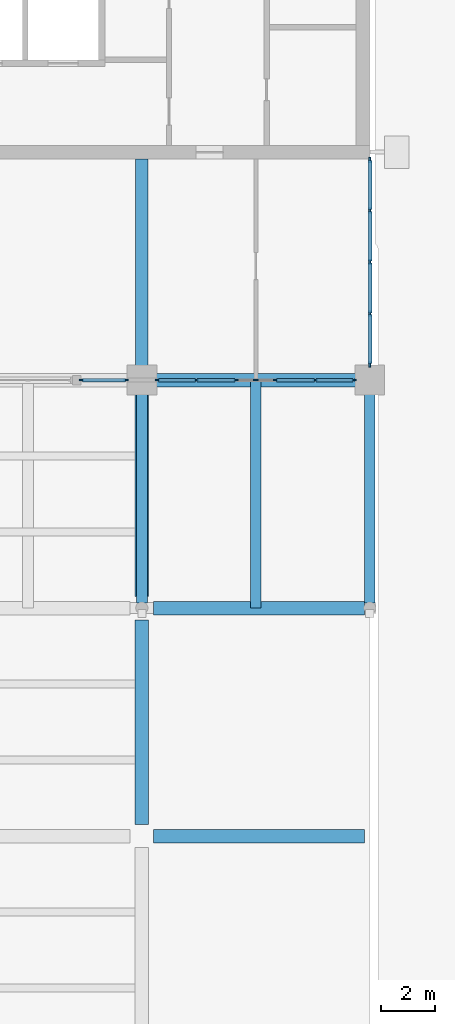
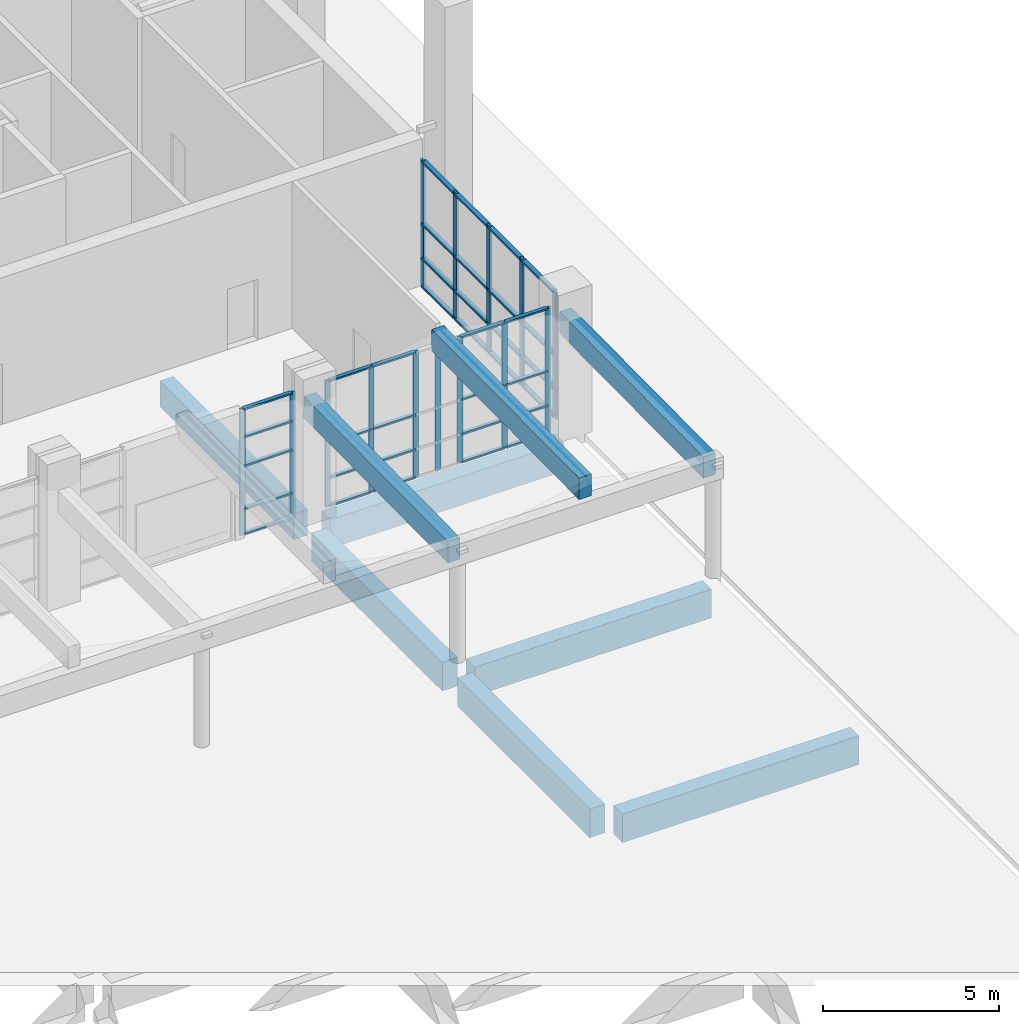
# One storey, part 9 of 74: 51 members, 9 beams, 3 elements without a shape of their own.
"""IFC4 building model written with IfcOpenShell, lengths in metres."""

from ifc_helpers import new_model, si_unit, direction, frame, origin, origin_2d, place, context, subcontext, project, spatial, rectangle, extrude, material, layer, layer_set, material_profile, profile_set, type_object, element, aggregate, save


model = new_model("IFC4")

# Units and contexts
model_context = context("Model", 3, precision=1e-05, world=origin(), true_north=direction((0.0, 1.0)))
body_context = subcontext(model_context, "Body", "Model", "MODEL_VIEW")
ifc_project = project(units=[si_unit("LENGTHUNIT", "METRE"), si_unit("AREAUNIT", "SQUARE_METRE"), si_unit("VOLUMEUNIT", "CUBIC_METRE"), si_unit("PLANEANGLEUNIT", "RADIAN"), si_unit("MASSUNIT", "GRAM", prefix="KILO")], contexts=[model_context])

# Site, building, storey
site_placement = place(None, origin())
site = spatial("IfcSite", under=ifc_project, at=site_placement, CompositionType="ELEMENT")
building_placement = place(site_placement, origin())
building = spatial("IfcBuilding", under=site, at=building_placement, Name="Rulbaag Community and Learning Centre", CompositionType="ELEMENT")
storey_placement = place(building_placement, origin())
storey = spatial("IfcBuildingStorey", under=building, at=storey_placement, Name="L00", CompositionType="ELEMENT", Elevation=0.0)

# Beams
ifc_material_1 = material(Name="Concrete M40", Category="concrete")
ifc_material_profile_1 = material_profile(ifc_material_1, rectangle(XDim=0.449951171875, YDim=0.89990234375, at=origin_2d()), Name="RB450x900")
ifc_profile_set_1 = profile_set([ifc_material_profile_1], Name="Concrete M40")
beam_type_1 = type_object("IfcBeamType", Name="B10 Ground floor beam 450x900 Concrete M40", PredefinedType="BEAM", material=ifc_profile_set_1)
beam_1_placement = place(storey_placement, frame((159.60009765625, 84.530029296875, -0.75), z_axis=(0.0, 1.0, 0.0), x_axis=(-1.0, 0.0, 0.0)))
element("IfcBeam", 1, at=beam_1_placement, inside=storey, type_object=beam_type_1, Name="BM-L00-20K-20L", PredefinedType="BEAM", context=body_context, shape_type="SweptSolid", body=[
    extrude(rectangle(XDim=0.449951171875, YDim=0.89990234375, at=origin_2d()), origin(), (0.0, 0.0, 1.0), 7.619873046875),
])
ifc_material_profile_2 = material_profile(ifc_material_1, rectangle(XDim=0.5, YDim=1.0, at=origin_2d()), Name="RB500x1000")
ifc_profile_set_2 = profile_set([ifc_material_profile_2], Name="Concrete M40")
beam_type_2 = type_object("IfcBeamType", Name="B12 Plaza deck beam 500x1000 Concrete M40", PredefinedType="BEAM", material=ifc_profile_set_2)
beam_2_placement = place(storey_placement, frame((160.030029296875, 67.199951171875, -0.800048828125), z_axis=(1.0, 0.0, 0.0), x_axis=(0.0, 1.0, 0.0)))
element("IfcBeam", 2, at=beam_2_placement, inside=storey, type_object=beam_type_2, Name="BM-L00-20I-21I", PredefinedType="BEAM", context=body_context, shape_type="SweptSolid", body=[
    extrude(rectangle(XDim=0.5, YDim=1.0, at=origin_2d()), origin(), (0.0, 0.0, 1.0), 7.77001953125),
])
beam_3_placement = place(storey_placement, frame((159.60009765625, 67.6298828125, -0.800048828125), z_axis=(0.0, 1.0, 0.0), x_axis=(-1.0, 0.0, 0.0)))
element("IfcBeam", 3, at=beam_3_placement, inside=storey, type_object=beam_type_2, Name="BM-L00-20I-20J", PredefinedType="BEAM", context=body_context, shape_type="SweptSolid", body=[
    extrude(rectangle(XDim=0.5, YDim=1.0, at=origin_2d()), origin(), (0.0, 0.0, 1.0), 7.5400390625),
])
beam_4_placement = place(storey_placement, frame((160.030029296875, 75.60009765625, -0.800048828125), z_axis=(1.0, 0.0, 0.0), x_axis=(0.0, 1.0, 0.0)))
element("IfcBeam", 4, at=beam_4_placement, inside=storey, type_object=beam_type_2, Name="BM-L00-20J-21J", PredefinedType="BEAM", context=body_context, shape_type="SweptSolid", body=[
    extrude(rectangle(XDim=0.5, YDim=1.0, at=origin_2d()), origin(), (0.0, 0.0, 1.0), 7.77001953125),
])
beam_5_placement = place(storey_placement, frame((159.60009765625, 76.030029296875, -0.800048828125), z_axis=(0.0, 1.0, 0.0), x_axis=(-1.0, 0.0, 0.0)))
element("IfcBeam", 5, at=beam_5_placement, inside=storey, type_object=beam_type_2, Name="BM-L00-20J-20K", PredefinedType="BEAM", context=body_context, shape_type="SweptSolid", body=[
    extrude(rectangle(XDim=0.5, YDim=1.0, at=origin_2d()), origin(), (0.0, 0.0, 1.0), 7.43994140625),
])
beam_6_placement = place(storey_placement, frame((160.1298828125, 84.0, -0.800048828125), z_axis=(1.0, 0.0, 0.0), x_axis=(0.0, 1.0, 0.0)))
element("IfcBeam", 6, at=beam_6_placement, inside=storey, type_object=beam_type_2, Name="BM-L00-20K-21K", PredefinedType="BEAM", context=body_context, shape_type="SweptSolid", body=[
    extrude(rectangle(XDim=0.5, YDim=1.0, at=origin_2d()), origin(), (0.0, 0.0, 1.0), 7.670166015625),
])
ifc_material_profile_3 = material_profile(ifc_material_1, rectangle(XDim=0.39990234375, YDim=0.75, at=origin_2d()), Name="RB400x750")
ifc_profile_set_3 = profile_set([ifc_material_profile_3], Name="Concrete M40")
beam_type_3 = type_object("IfcBeamType", Name="BP1 Porch valley beam 400x750 Concrete M40", PredefinedType="BEAM", material=ifc_profile_set_3)
for number, where, z_axis, x_axis, name in (
    (7, (159.60009765625, 84.0, 3.72314453125), (0.0, -0.999954332431, -0.009556832724), (1.0, 0.0, 0.0), "BM-PORCH-T3"),
    (8, (168.0, 84.0, 3.72314453125), (0.0, -0.999954332431, -0.009556832724), (1.0, 0.0, 0.0), "BM-PORCH-T4"),
):
    element("IfcBeam", number, at=place(storey_placement, frame(where, z_axis=z_axis, x_axis=x_axis)), inside=storey, type_object=beam_type_3, Name=name, PredefinedType="BEAM", context=body_context, shape_type="SweptSolid", body=[
        extrude(rectangle(XDim=0.39990234375, YDim=0.75, at=origin_2d()), origin(), (0.0, 0.0, 1.0), 8.200439453125),
    ])
beam_7_placement = place(storey_placement, frame((163.800048828125, 84.0, 4.580322265625), z_axis=(0.0, -0.999954284482, -0.009561848503), x_axis=(1.0, 0.0, 0.0)))
element("IfcBeam", 9, at=beam_7_placement, inside=storey, type_object=beam_type_3, Name="BM-PORCH-TR3", PredefinedType="BEAM", context=body_context, shape_type="SweptSolid", body=[
    extrude(rectangle(XDim=0.39990234375, YDim=0.75, at=origin_2d()), origin(), (0.0, 0.0, 1.0), 8.400390625),
])

# Curtain wall, members
ifc_material_2 = material(Name="Aluminium", Category="aluminium")
ifc_layer_1 = layer(ifc_material_2, 0.14990234375)
ifc_layer_set_1 = layer_set([ifc_layer_1], Name="CW-S")
curtain_wall_type_1 = type_object("IfcCurtainWallType", Name="CW-S", PredefinedType="USERDEFINED", material=ifc_layer_set_1)
curtain_wall_1_placement = place(storey_placement, origin())
curtain_wall_1 = element("IfcCurtainWall", 10, at=curtain_wall_1_placement, inside=storey, type_object=curtain_wall_type_1, Name="GS-L00-04", ObjectType="UNITISED CURTAIN WALL", PredefinedType="USERDEFINED")
ifc_material_3 = material(Name="Aluminium mullion", Category="aluminium")
ifc_material_profile_4 = material_profile(ifc_material_3, rectangle(XDim=0.06005859375, YDim=0.175048828125, at=origin_2d()), Name="AL 60x175")
ifc_profile_set_4 = profile_set([ifc_material_profile_4], Name="Aluminium mullion")
member_type_1 = type_object("IfcMemberType", Name="CW-S-MUL", PredefinedType="MULLION", material=ifc_profile_set_4)
member_1_placement = place(storey_placement, frame((157.3798828125, 84.0, 0.0), z_axis=(0.0, 0.0, 1.0), x_axis=(0.0, 1.0, 0.0)))
member_1 = element("IfcMember", 11, at=member_1_placement, type_object=member_type_1, Name="GS mullion 1", PredefinedType="MULLION", context=body_context, shape_type="SweptSolid", body=[
    extrude(rectangle(XDim=0.06005859375, YDim=0.175048828125, at=origin_2d()), origin(), (0.0, 0.0, 1.0), 4.39990234375),
])
member_2_placement = place(storey_placement, frame((159.02001953125, 84.0, 0.0), z_axis=(0.0, 0.0, 1.0), x_axis=(0.0, 1.0, 0.0)))
member_2 = element("IfcMember", 12, at=member_2_placement, type_object=member_type_1, Name="GS mullion 2", PredefinedType="MULLION", context=body_context, shape_type="SweptSolid", body=[
    extrude(rectangle(XDim=0.06005859375, YDim=0.175048828125, at=origin_2d()), origin(), (0.0, 0.0, 1.0), 4.39990234375),
])

curtain_wall_2_placement = place(storey_placement, origin())
curtain_wall_2 = element("IfcCurtainWall", 13, at=curtain_wall_2_placement, inside=storey, type_object=curtain_wall_type_1, Name="GS-L00-05", ObjectType="UNITISED CURTAIN WALL", PredefinedType="USERDEFINED")
member_3_placement = place(storey_placement, frame((160.179931640625, 84.0, 0.0), z_axis=(0.0, 0.0, 1.0), x_axis=(0.0, 1.0, 0.0)))
member_3 = element("IfcMember", 14, at=member_3_placement, type_object=member_type_1, Name="GS mullion 1", PredefinedType="MULLION", context=body_context, shape_type="SweptSolid", body=[
    extrude(rectangle(XDim=0.06005859375, YDim=0.175048828125, at=origin_2d()), origin(), (0.0, 0.0, 1.0), 4.39990234375),
])
member_4_placement = place(storey_placement, frame((161.610107421875, 84.0, 0.0), z_axis=(0.0, 0.0, 1.0), x_axis=(0.0, 1.0, 0.0)))
member_4 = element("IfcMember", 15, at=member_4_placement, type_object=member_type_1, Name="GS mullion 2", PredefinedType="MULLION", context=body_context, shape_type="SweptSolid", body=[
    extrude(rectangle(XDim=0.06005859375, YDim=0.175048828125, at=origin_2d()), origin(), (0.0, 0.0, 1.0), 4.39990234375),
])
member_5_placement = place(storey_placement, frame((163.070068359375, 84.0, 0.0), z_axis=(0.0, 0.0, 1.0), x_axis=(0.0, 1.0, 0.0)))
member_5 = element("IfcMember", 16, at=member_5_placement, type_object=member_type_1, Name="GS mullion 3", PredefinedType="MULLION", context=body_context, shape_type="SweptSolid", body=[
    extrude(rectangle(XDim=0.06005859375, YDim=0.175048828125, at=origin_2d()), origin(), (0.0, 0.0, 1.0), 4.39990234375),
])
member_6_placement = place(storey_placement, frame((163.800048828125, 84.0, 0.0), z_axis=(0.0, 0.0, 1.0), x_axis=(0.0, 1.0, 0.0)))
member_6 = element("IfcMember", 17, at=member_6_placement, type_object=member_type_1, Name="GS mullion 4", PredefinedType="MULLION", context=body_context, shape_type="SweptSolid", body=[
    extrude(rectangle(XDim=0.06005859375, YDim=0.175048828125, at=origin_2d()), origin(), (0.0, 0.0, 1.0), 4.39990234375),
])
member_7_placement = place(storey_placement, frame((164.530029296875, 84.0, 0.0), z_axis=(0.0, 0.0, 1.0), x_axis=(0.0, 1.0, 0.0)))
member_7 = element("IfcMember", 18, at=member_7_placement, type_object=member_type_1, Name="GS mullion 5", PredefinedType="MULLION", context=body_context, shape_type="SweptSolid", body=[
    extrude(rectangle(XDim=0.06005859375, YDim=0.175048828125, at=origin_2d()), origin(), (0.0, 0.0, 1.0), 4.39990234375),
])
member_8_placement = place(storey_placement, frame((165.989990234375, 84.0, 0.0), z_axis=(0.0, 0.0, 1.0), x_axis=(0.0, 1.0, 0.0)))
member_8 = element("IfcMember", 19, at=member_8_placement, type_object=member_type_1, Name="GS mullion 6", PredefinedType="MULLION", context=body_context, shape_type="SweptSolid", body=[
    extrude(rectangle(XDim=0.06005859375, YDim=0.175048828125, at=origin_2d()), origin(), (0.0, 0.0, 1.0), 4.39990234375),
])
member_9_placement = place(storey_placement, frame((167.419921875, 84.0, 0.0), z_axis=(0.0, 0.0, 1.0), x_axis=(0.0, 1.0, 0.0)))
member_9 = element("IfcMember", 20, at=member_9_placement, type_object=member_type_1, Name="GS mullion 7", PredefinedType="MULLION", context=body_context, shape_type="SweptSolid", body=[
    extrude(rectangle(XDim=0.06005859375, YDim=0.175048828125, at=origin_2d()), origin(), (0.0, 0.0, 1.0), 4.39990234375),
])

# Member
ifc_material_4 = material(Name="Aluminium transom", Category="aluminium")
ifc_material_profile_5 = material_profile(ifc_material_4, rectangle(XDim=0.125, YDim=0.06005859375, at=origin_2d()), Name="AL 60x125 T")
ifc_profile_set_5 = profile_set([ifc_material_profile_5], Name="Aluminium transom")
member_type_2 = type_object("IfcMemberType", Name="CW-S-TRN", PredefinedType="USERDEFINED", material=ifc_profile_set_5)
member_10_placement = place(storey_placement, frame((157.409912109375, 84.0, 0.030029296875), z_axis=(1.0, 0.0, 0.0), x_axis=(0.0, 1.0, 0.0)))
member_10 = element("IfcMember", 21, at=member_10_placement, type_object=member_type_2, Name="GS transom 1.1", ObjectType="TRANSOM", PredefinedType="USERDEFINED", context=body_context, shape_type="SweptSolid", body=[
    extrude(rectangle(XDim=0.125, YDim=0.06005859375, at=origin_2d()), origin(), (0.0, 0.0, 1.0), 1.580078125),
])

member_11_placement = place(storey_placement, frame((157.409912109375, 84.0, 0.89990234375), z_axis=(1.0, 0.0, 0.0), x_axis=(0.0, 1.0, 0.0)))
member_11 = element("IfcMember", 22, at=member_11_placement, type_object=member_type_2, Name="GS transom 1.2", ObjectType="TRANSOM", PredefinedType="USERDEFINED", context=body_context, shape_type="SweptSolid", body=[
    extrude(rectangle(XDim=0.125, YDim=0.06005859375, at=origin_2d()), origin(), (0.0, 0.0, 1.0), 1.580078125),
])

member_12_placement = place(storey_placement, frame((157.409912109375, 84.0, 2.39990234375), z_axis=(1.0, 0.0, 0.0), x_axis=(0.0, 1.0, 0.0)))
member_12 = element("IfcMember", 23, at=member_12_placement, type_object=member_type_2, Name="GS transom 1.3", ObjectType="TRANSOM", PredefinedType="USERDEFINED", context=body_context, shape_type="SweptSolid", body=[
    extrude(rectangle(XDim=0.125, YDim=0.06005859375, at=origin_2d()), origin(), (0.0, 0.0, 1.0), 1.580078125),
])

member_13_placement = place(storey_placement, frame((157.409912109375, 84.0, 3.39990234375), z_axis=(1.0, 0.0, 0.0), x_axis=(0.0, 1.0, 0.0)))
member_13 = element("IfcMember", 24, at=member_13_placement, type_object=member_type_2, Name="GS transom 1.4", ObjectType="TRANSOM", PredefinedType="USERDEFINED", context=body_context, shape_type="SweptSolid", body=[
    extrude(rectangle(XDim=0.125, YDim=0.06005859375, at=origin_2d()), origin(), (0.0, 0.0, 1.0), 1.580078125),
])

member_14_placement = place(storey_placement, frame((157.409912109375, 84.0, 4.3701171875), z_axis=(1.0, 0.0, 0.0), x_axis=(0.0, 1.0, 0.0)))
member_14 = element("IfcMember", 25, at=member_14_placement, type_object=member_type_2, Name="GS transom 1.5", ObjectType="TRANSOM", PredefinedType="USERDEFINED", context=body_context, shape_type="SweptSolid", body=[
    extrude(rectangle(XDim=0.125, YDim=0.06005859375, at=origin_2d()), origin(), (0.0, 0.0, 1.0), 1.580078125),
])

aggregate(curtain_wall_1, [member_1, member_2, member_10, member_11, member_12, member_13, member_14])

member_15_placement = place(storey_placement, frame((160.2099609375, 84.0, 0.030029296875), z_axis=(1.0, 0.0, 0.0), x_axis=(0.0, 1.0, 0.0)))
member_15 = element("IfcMember", 26, at=member_15_placement, type_object=member_type_2, Name="GS transom 1.1", ObjectType="TRANSOM", PredefinedType="USERDEFINED", context=body_context, shape_type="SweptSolid", body=[
    extrude(rectangle(XDim=0.125, YDim=0.06005859375, at=origin_2d()), origin(), (0.0, 0.0, 1.0), 1.3701171875),
])

member_16_placement = place(storey_placement, frame((160.2099609375, 84.0, 1.0), z_axis=(1.0, 0.0, 0.0), x_axis=(0.0, 1.0, 0.0)))
member_16 = element("IfcMember", 27, at=member_16_placement, type_object=member_type_2, Name="GS transom 1.2", ObjectType="TRANSOM", PredefinedType="USERDEFINED", context=body_context, shape_type="SweptSolid", body=[
    extrude(rectangle(XDim=0.125, YDim=0.06005859375, at=origin_2d()), origin(), (0.0, 0.0, 1.0), 1.3701171875),
])

member_17_placement = place(storey_placement, frame((160.2099609375, 84.0, 2.199951171875), z_axis=(1.0, 0.0, 0.0), x_axis=(0.0, 1.0, 0.0)))
member_17 = element("IfcMember", 28, at=member_17_placement, type_object=member_type_2, Name="GS transom 1.3", ObjectType="TRANSOM", PredefinedType="USERDEFINED", context=body_context, shape_type="SweptSolid", body=[
    extrude(rectangle(XDim=0.125, YDim=0.06005859375, at=origin_2d()), origin(), (0.0, 0.0, 1.0), 1.3701171875),
])

member_18_placement = place(storey_placement, frame((160.2099609375, 84.0, 4.3701171875), z_axis=(1.0, 0.0, 0.0), x_axis=(0.0, 1.0, 0.0)))
member_18 = element("IfcMember", 29, at=member_18_placement, type_object=member_type_2, Name="GS transom 1.4", ObjectType="TRANSOM", PredefinedType="USERDEFINED", context=body_context, shape_type="SweptSolid", body=[
    extrude(rectangle(XDim=0.125, YDim=0.06005859375, at=origin_2d()), origin(), (0.0, 0.0, 1.0), 1.3701171875),
])

member_19_placement = place(storey_placement, frame((161.639892578125, 84.0, 0.030029296875), z_axis=(1.0, 0.0, 0.0), x_axis=(0.0, 1.0, 0.0)))
member_19 = element("IfcMember", 30, at=member_19_placement, type_object=member_type_2, Name="GS transom 2.1", ObjectType="TRANSOM", PredefinedType="USERDEFINED", context=body_context, shape_type="SweptSolid", body=[
    extrude(rectangle(XDim=0.125, YDim=0.06005859375, at=origin_2d()), origin(), (0.0, 0.0, 1.0), 1.400146484375),
])

member_20_placement = place(storey_placement, frame((161.639892578125, 84.0, 1.0), z_axis=(1.0, 0.0, 0.0), x_axis=(0.0, 1.0, 0.0)))
member_20 = element("IfcMember", 31, at=member_20_placement, type_object=member_type_2, Name="GS transom 2.2", ObjectType="TRANSOM", PredefinedType="USERDEFINED", context=body_context, shape_type="SweptSolid", body=[
    extrude(rectangle(XDim=0.125, YDim=0.06005859375, at=origin_2d()), origin(), (0.0, 0.0, 1.0), 1.400146484375),
])

member_21_placement = place(storey_placement, frame((161.639892578125, 84.0, 2.199951171875), z_axis=(1.0, 0.0, 0.0), x_axis=(0.0, 1.0, 0.0)))
member_21 = element("IfcMember", 32, at=member_21_placement, type_object=member_type_2, Name="GS transom 2.3", ObjectType="TRANSOM", PredefinedType="USERDEFINED", context=body_context, shape_type="SweptSolid", body=[
    extrude(rectangle(XDim=0.125, YDim=0.06005859375, at=origin_2d()), origin(), (0.0, 0.0, 1.0), 1.400146484375),
])

member_22_placement = place(storey_placement, frame((161.639892578125, 84.0, 4.3701171875), z_axis=(1.0, 0.0, 0.0), x_axis=(0.0, 1.0, 0.0)))
member_22 = element("IfcMember", 33, at=member_22_placement, type_object=member_type_2, Name="GS transom 2.4", ObjectType="TRANSOM", PredefinedType="USERDEFINED", context=body_context, shape_type="SweptSolid", body=[
    extrude(rectangle(XDim=0.125, YDim=0.06005859375, at=origin_2d()), origin(), (0.0, 0.0, 1.0), 1.400146484375),
])

member_23_placement = place(storey_placement, frame((164.56005859375, 84.0, 0.030029296875), z_axis=(1.0, 0.0, 0.0), x_axis=(0.0, 1.0, 0.0)))
member_23 = element("IfcMember", 34, at=member_23_placement, type_object=member_type_2, Name="GS transom 5.1", ObjectType="TRANSOM", PredefinedType="USERDEFINED", context=body_context, shape_type="SweptSolid", body=[
    extrude(rectangle(XDim=0.125, YDim=0.06005859375, at=origin_2d()), origin(), (0.0, 0.0, 1.0), 1.39990234375),
])

member_24_placement = place(storey_placement, frame((164.56005859375, 84.0, 1.0), z_axis=(1.0, 0.0, 0.0), x_axis=(0.0, 1.0, 0.0)))
member_24 = element("IfcMember", 35, at=member_24_placement, type_object=member_type_2, Name="GS transom 5.2", ObjectType="TRANSOM", PredefinedType="USERDEFINED", context=body_context, shape_type="SweptSolid", body=[
    extrude(rectangle(XDim=0.125, YDim=0.06005859375, at=origin_2d()), origin(), (0.0, 0.0, 1.0), 1.39990234375),
])

member_25_placement = place(storey_placement, frame((164.56005859375, 84.0, 2.199951171875), z_axis=(1.0, 0.0, 0.0), x_axis=(0.0, 1.0, 0.0)))
member_25 = element("IfcMember", 36, at=member_25_placement, type_object=member_type_2, Name="GS transom 5.3", ObjectType="TRANSOM", PredefinedType="USERDEFINED", context=body_context, shape_type="SweptSolid", body=[
    extrude(rectangle(XDim=0.125, YDim=0.06005859375, at=origin_2d()), origin(), (0.0, 0.0, 1.0), 1.39990234375),
])

member_26_placement = place(storey_placement, frame((164.56005859375, 84.0, 4.3701171875), z_axis=(1.0, 0.0, 0.0), x_axis=(0.0, 1.0, 0.0)))
member_26 = element("IfcMember", 37, at=member_26_placement, type_object=member_type_2, Name="GS transom 5.4", ObjectType="TRANSOM", PredefinedType="USERDEFINED", context=body_context, shape_type="SweptSolid", body=[
    extrude(rectangle(XDim=0.125, YDim=0.06005859375, at=origin_2d()), origin(), (0.0, 0.0, 1.0), 1.39990234375),
])

member_27_placement = place(storey_placement, frame((166.02001953125, 84.0, 0.030029296875), z_axis=(1.0, 0.0, 0.0), x_axis=(0.0, 1.0, 0.0)))
member_27 = element("IfcMember", 38, at=member_27_placement, type_object=member_type_2, Name="GS transom 6.1", ObjectType="TRANSOM", PredefinedType="USERDEFINED", context=body_context, shape_type="SweptSolid", body=[
    extrude(rectangle(XDim=0.125, YDim=0.06005859375, at=origin_2d()), origin(), (0.0, 0.0, 1.0), 1.369873046875),
])

member_28_placement = place(storey_placement, frame((166.02001953125, 84.0, 1.0), z_axis=(1.0, 0.0, 0.0), x_axis=(0.0, 1.0, 0.0)))
member_28 = element("IfcMember", 39, at=member_28_placement, type_object=member_type_2, Name="GS transom 6.2", ObjectType="TRANSOM", PredefinedType="USERDEFINED", context=body_context, shape_type="SweptSolid", body=[
    extrude(rectangle(XDim=0.125, YDim=0.06005859375, at=origin_2d()), origin(), (0.0, 0.0, 1.0), 1.369873046875),
])

member_29_placement = place(storey_placement, frame((166.02001953125, 84.0, 2.199951171875), z_axis=(1.0, 0.0, 0.0), x_axis=(0.0, 1.0, 0.0)))
member_29 = element("IfcMember", 40, at=member_29_placement, type_object=member_type_2, Name="GS transom 6.3", ObjectType="TRANSOM", PredefinedType="USERDEFINED", context=body_context, shape_type="SweptSolid", body=[
    extrude(rectangle(XDim=0.125, YDim=0.06005859375, at=origin_2d()), origin(), (0.0, 0.0, 1.0), 1.369873046875),
])

member_30_placement = place(storey_placement, frame((166.02001953125, 84.0, 4.3701171875), z_axis=(1.0, 0.0, 0.0), x_axis=(0.0, 1.0, 0.0)))
member_30 = element("IfcMember", 41, at=member_30_placement, type_object=member_type_2, Name="GS transom 6.4", ObjectType="TRANSOM", PredefinedType="USERDEFINED", context=body_context, shape_type="SweptSolid", body=[
    extrude(rectangle(XDim=0.125, YDim=0.06005859375, at=origin_2d()), origin(), (0.0, 0.0, 1.0), 1.369873046875),
])

aggregate(curtain_wall_2, [member_3, member_4, member_5, member_6, member_7, member_8, member_9, member_15, member_16, member_17, member_18, member_19, member_20, member_21, member_22, member_23, member_24, member_25, member_26, member_27, member_28, member_29, member_30])

# Curtain wall, members
ifc_layer_2 = layer(ifc_material_2, 0.14990234375)
ifc_layer_set_2 = layer_set([ifc_layer_2], Name="CW-T")
curtain_wall_type_2 = type_object("IfcCurtainWallType", Name="CW-T", PredefinedType="USERDEFINED", material=ifc_layer_set_2)
curtain_wall_3_placement = place(storey_placement, origin())
curtain_wall_3 = element("IfcCurtainWall", 42, at=curtain_wall_3_placement, inside=storey, type_object=curtain_wall_type_2, Name="GT-L00-03", ObjectType="UNITISED CURTAIN WALL", PredefinedType="USERDEFINED")
ifc_material_profile_6 = material_profile(ifc_material_3, rectangle(XDim=0.06494140625, YDim=0.199951171875, at=origin_2d()), Name="AL 65x200")
ifc_profile_set_6 = profile_set([ifc_material_profile_6], Name="Aluminium mullion")
member_type_3 = type_object("IfcMemberType", Name="CW-T-MUL", PredefinedType="MULLION", material=ifc_profile_set_6)
member_31_placement = place(storey_placement, frame((168.0, 84.58251953125, 0.0), z_axis=(0.0, 0.0, 1.0), x_axis=(-1.0, 0.0, 0.0)))
member_31 = element("IfcMember", 43, at=member_31_placement, type_object=member_type_3, Name="GT mullion 1", PredefinedType="MULLION", context=body_context, shape_type="SweptSolid", body=[
    extrude(rectangle(XDim=0.06494140625, YDim=0.199951171875, at=origin_2d()), origin(), (0.0, 0.0, 1.0), 4.39990234375),
])
member_32_placement = place(storey_placement, frame((168.0, 86.449951171875, 0.0), z_axis=(0.0, 0.0, 1.0), x_axis=(-1.0, 0.0, 0.0)))
member_32 = element("IfcMember", 44, at=member_32_placement, type_object=member_type_3, Name="GT mullion 2", PredefinedType="MULLION", context=body_context, shape_type="SweptSolid", body=[
    extrude(rectangle(XDim=0.06494140625, YDim=0.199951171875, at=origin_2d()), origin(), (0.0, 0.0, 1.0), 4.39990234375),
])
member_33_placement = place(storey_placement, frame((168.0, 88.35009765625, 0.0), z_axis=(0.0, 0.0, 1.0), x_axis=(-1.0, 0.0, 0.0)))
member_33 = element("IfcMember", 45, at=member_33_placement, type_object=member_type_3, Name="GT mullion 3", PredefinedType="MULLION", context=body_context, shape_type="SweptSolid", body=[
    extrude(rectangle(XDim=0.06494140625, YDim=0.199951171875, at=origin_2d()), origin(), (0.0, 0.0, 1.0), 4.39990234375),
])
member_34_placement = place(storey_placement, frame((168.0, 90.25, 0.0), z_axis=(0.0, 0.0, 1.0), x_axis=(-1.0, 0.0, 0.0)))
member_34 = element("IfcMember", 46, at=member_34_placement, type_object=member_type_3, Name="GT mullion 4", PredefinedType="MULLION", context=body_context, shape_type="SweptSolid", body=[
    extrude(rectangle(XDim=0.06494140625, YDim=0.199951171875, at=origin_2d()), origin(), (0.0, 0.0, 1.0), 4.39990234375),
])
member_35_placement = place(storey_placement, frame((168.0, 92.117431640625, 0.0), z_axis=(0.0, 0.0, 1.0), x_axis=(-1.0, 0.0, 0.0)))
member_35 = element("IfcMember", 47, at=member_35_placement, type_object=member_type_3, Name="GT mullion 5", PredefinedType="MULLION", context=body_context, shape_type="SweptSolid", body=[
    extrude(rectangle(XDim=0.06494140625, YDim=0.199951171875, at=origin_2d()), origin(), (0.0, 0.0, 1.0), 4.39990234375),
])
ifc_material_profile_7 = material_profile(ifc_material_4, rectangle(XDim=0.14990234375, YDim=0.06494140625, at=origin_2d()), Name="AL 65x150 T")
ifc_profile_set_7 = profile_set([ifc_material_profile_7], Name="Aluminium transom")
member_type_4 = type_object("IfcMemberType", Name="CW-T-TRN", PredefinedType="USERDEFINED", material=ifc_profile_set_7)
member_36_placement = place(storey_placement, frame((168.0, 84.614990234375, 0.032470703125), z_axis=(0.0, 1.0, 0.0), x_axis=(-1.0, 0.0, 0.0)))
member_36 = element("IfcMember", 48, at=member_36_placement, type_object=member_type_4, Name="GT transom 1.1", ObjectType="TRANSOM", PredefinedType="USERDEFINED", context=body_context, shape_type="SweptSolid", body=[
    extrude(rectangle(XDim=0.14990234375, YDim=0.06494140625, at=origin_2d()), origin(), (0.0, 0.0, 1.0), 1.802490234375),
])
member_37_placement = place(storey_placement, frame((168.0, 84.614990234375, 1.0), z_axis=(0.0, 1.0, 0.0), x_axis=(-1.0, 0.0, 0.0)))
member_37 = element("IfcMember", 49, at=member_37_placement, type_object=member_type_4, Name="GT transom 1.2", ObjectType="TRANSOM", PredefinedType="USERDEFINED", context=body_context, shape_type="SweptSolid", body=[
    extrude(rectangle(XDim=0.14990234375, YDim=0.06494140625, at=origin_2d()), origin(), (0.0, 0.0, 1.0), 1.802490234375),
])
member_38_placement = place(storey_placement, frame((168.0, 84.614990234375, 2.199951171875), z_axis=(0.0, 1.0, 0.0), x_axis=(-1.0, 0.0, 0.0)))
member_38 = element("IfcMember", 50, at=member_38_placement, type_object=member_type_4, Name="GT transom 1.3", ObjectType="TRANSOM", PredefinedType="USERDEFINED", context=body_context, shape_type="SweptSolid", body=[
    extrude(rectangle(XDim=0.14990234375, YDim=0.06494140625, at=origin_2d()), origin(), (0.0, 0.0, 1.0), 1.802490234375),
])
member_39_placement = place(storey_placement, frame((168.0, 84.614990234375, 4.367431640625), z_axis=(0.0, 1.0, 0.0), x_axis=(-1.0, 0.0, 0.0)))
member_39 = element("IfcMember", 51, at=member_39_placement, type_object=member_type_4, Name="GT transom 1.4", ObjectType="TRANSOM", PredefinedType="USERDEFINED", context=body_context, shape_type="SweptSolid", body=[
    extrude(rectangle(XDim=0.14990234375, YDim=0.06494140625, at=origin_2d()), origin(), (0.0, 0.0, 1.0), 1.802490234375),
])
member_40_placement = place(storey_placement, frame((168.0, 86.482421875, 0.032470703125), z_axis=(0.0, 1.0, 0.0), x_axis=(-1.0, 0.0, 0.0)))
member_40 = element("IfcMember", 52, at=member_40_placement, type_object=member_type_4, Name="GT transom 2.1", ObjectType="TRANSOM", PredefinedType="USERDEFINED", context=body_context, shape_type="SweptSolid", body=[
    extrude(rectangle(XDim=0.14990234375, YDim=0.06494140625, at=origin_2d()), origin(), (0.0, 0.0, 1.0), 1.8349609375),
])
member_41_placement = place(storey_placement, frame((168.0, 86.482421875, 1.0), z_axis=(0.0, 1.0, 0.0), x_axis=(-1.0, 0.0, 0.0)))
member_41 = element("IfcMember", 53, at=member_41_placement, type_object=member_type_4, Name="GT transom 2.2", ObjectType="TRANSOM", PredefinedType="USERDEFINED", context=body_context, shape_type="SweptSolid", body=[
    extrude(rectangle(XDim=0.14990234375, YDim=0.06494140625, at=origin_2d()), origin(), (0.0, 0.0, 1.0), 1.8349609375),
])
member_42_placement = place(storey_placement, frame((168.0, 86.482421875, 2.199951171875), z_axis=(0.0, 1.0, 0.0), x_axis=(-1.0, 0.0, 0.0)))
member_42 = element("IfcMember", 54, at=member_42_placement, type_object=member_type_4, Name="GT transom 2.3", ObjectType="TRANSOM", PredefinedType="USERDEFINED", context=body_context, shape_type="SweptSolid", body=[
    extrude(rectangle(XDim=0.14990234375, YDim=0.06494140625, at=origin_2d()), origin(), (0.0, 0.0, 1.0), 1.8349609375),
])
member_43_placement = place(storey_placement, frame((168.0, 86.482421875, 4.367431640625), z_axis=(0.0, 1.0, 0.0), x_axis=(-1.0, 0.0, 0.0)))
member_43 = element("IfcMember", 55, at=member_43_placement, type_object=member_type_4, Name="GT transom 2.4", ObjectType="TRANSOM", PredefinedType="USERDEFINED", context=body_context, shape_type="SweptSolid", body=[
    extrude(rectangle(XDim=0.14990234375, YDim=0.06494140625, at=origin_2d()), origin(), (0.0, 0.0, 1.0), 1.8349609375),
])
member_44_placement = place(storey_placement, frame((168.0, 88.382568359375, 0.032470703125), z_axis=(0.0, 1.0, 0.0), x_axis=(-1.0, 0.0, 0.0)))
member_44 = element("IfcMember", 56, at=member_44_placement, type_object=member_type_4, Name="GT transom 3.1", ObjectType="TRANSOM", PredefinedType="USERDEFINED", context=body_context, shape_type="SweptSolid", body=[
    extrude(rectangle(XDim=0.14990234375, YDim=0.06494140625, at=origin_2d()), origin(), (0.0, 0.0, 1.0), 1.8349609375),
])
member_45_placement = place(storey_placement, frame((168.0, 88.382568359375, 1.0), z_axis=(0.0, 1.0, 0.0), x_axis=(-1.0, 0.0, 0.0)))
member_45 = element("IfcMember", 57, at=member_45_placement, type_object=member_type_4, Name="GT transom 3.2", ObjectType="TRANSOM", PredefinedType="USERDEFINED", context=body_context, shape_type="SweptSolid", body=[
    extrude(rectangle(XDim=0.14990234375, YDim=0.06494140625, at=origin_2d()), origin(), (0.0, 0.0, 1.0), 1.8349609375),
])
member_46_placement = place(storey_placement, frame((168.0, 88.382568359375, 2.199951171875), z_axis=(0.0, 1.0, 0.0), x_axis=(-1.0, 0.0, 0.0)))
member_46 = element("IfcMember", 58, at=member_46_placement, type_object=member_type_4, Name="GT transom 3.3", ObjectType="TRANSOM", PredefinedType="USERDEFINED", context=body_context, shape_type="SweptSolid", body=[
    extrude(rectangle(XDim=0.14990234375, YDim=0.06494140625, at=origin_2d()), origin(), (0.0, 0.0, 1.0), 1.8349609375),
])
member_47_placement = place(storey_placement, frame((168.0, 88.382568359375, 4.367431640625), z_axis=(0.0, 1.0, 0.0), x_axis=(-1.0, 0.0, 0.0)))
member_47 = element("IfcMember", 59, at=member_47_placement, type_object=member_type_4, Name="GT transom 3.4", ObjectType="TRANSOM", PredefinedType="USERDEFINED", context=body_context, shape_type="SweptSolid", body=[
    extrude(rectangle(XDim=0.14990234375, YDim=0.06494140625, at=origin_2d()), origin(), (0.0, 0.0, 1.0), 1.8349609375),
])
member_48_placement = place(storey_placement, frame((168.0, 90.282470703125, 0.032470703125), z_axis=(0.0, 1.0, 0.0), x_axis=(-1.0, 0.0, 0.0)))
member_48 = element("IfcMember", 60, at=member_48_placement, type_object=member_type_4, Name="GT transom 4.1", ObjectType="TRANSOM", PredefinedType="USERDEFINED", context=body_context, shape_type="SweptSolid", body=[
    extrude(rectangle(XDim=0.14990234375, YDim=0.06494140625, at=origin_2d()), origin(), (0.0, 0.0, 1.0), 1.802490234375),
])
member_49_placement = place(storey_placement, frame((168.0, 90.282470703125, 1.0), z_axis=(0.0, 1.0, 0.0), x_axis=(-1.0, 0.0, 0.0)))
member_49 = element("IfcMember", 61, at=member_49_placement, type_object=member_type_4, Name="GT transom 4.2", ObjectType="TRANSOM", PredefinedType="USERDEFINED", context=body_context, shape_type="SweptSolid", body=[
    extrude(rectangle(XDim=0.14990234375, YDim=0.06494140625, at=origin_2d()), origin(), (0.0, 0.0, 1.0), 1.802490234375),
])
member_50_placement = place(storey_placement, frame((168.0, 90.282470703125, 2.199951171875), z_axis=(0.0, 1.0, 0.0), x_axis=(-1.0, 0.0, 0.0)))
member_50 = element("IfcMember", 62, at=member_50_placement, type_object=member_type_4, Name="GT transom 4.3", ObjectType="TRANSOM", PredefinedType="USERDEFINED", context=body_context, shape_type="SweptSolid", body=[
    extrude(rectangle(XDim=0.14990234375, YDim=0.06494140625, at=origin_2d()), origin(), (0.0, 0.0, 1.0), 1.802490234375),
])
member_51_placement = place(storey_placement, frame((168.0, 90.282470703125, 4.367431640625), z_axis=(0.0, 1.0, 0.0), x_axis=(-1.0, 0.0, 0.0)))
member_51 = element("IfcMember", 63, at=member_51_placement, type_object=member_type_4, Name="GT transom 4.4", ObjectType="TRANSOM", PredefinedType="USERDEFINED", context=body_context, shape_type="SweptSolid", body=[
    extrude(rectangle(XDim=0.14990234375, YDim=0.06494140625, at=origin_2d()), origin(), (0.0, 0.0, 1.0), 1.802490234375),
])
aggregate(curtain_wall_3, [member_31, member_32, member_33, member_34, member_35, member_36, member_37, member_38, member_39, member_40, member_41, member_42, member_43, member_44, member_45, member_46, member_47, member_48, member_49, member_50, member_51])

save(model, "model.ifc")
